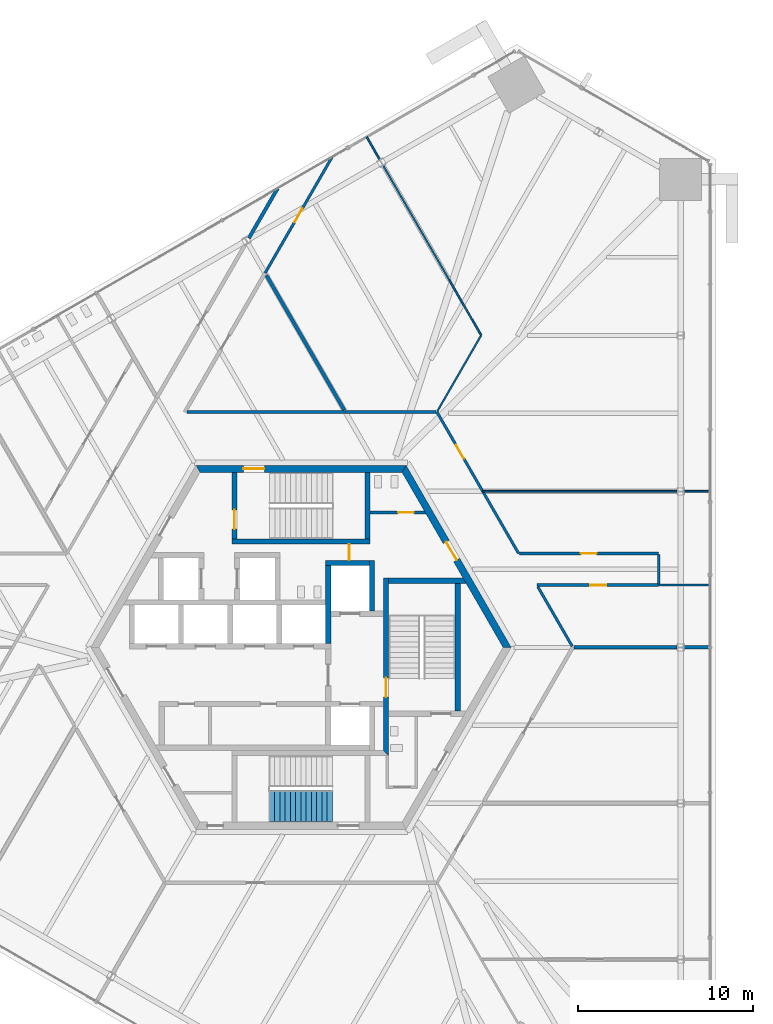
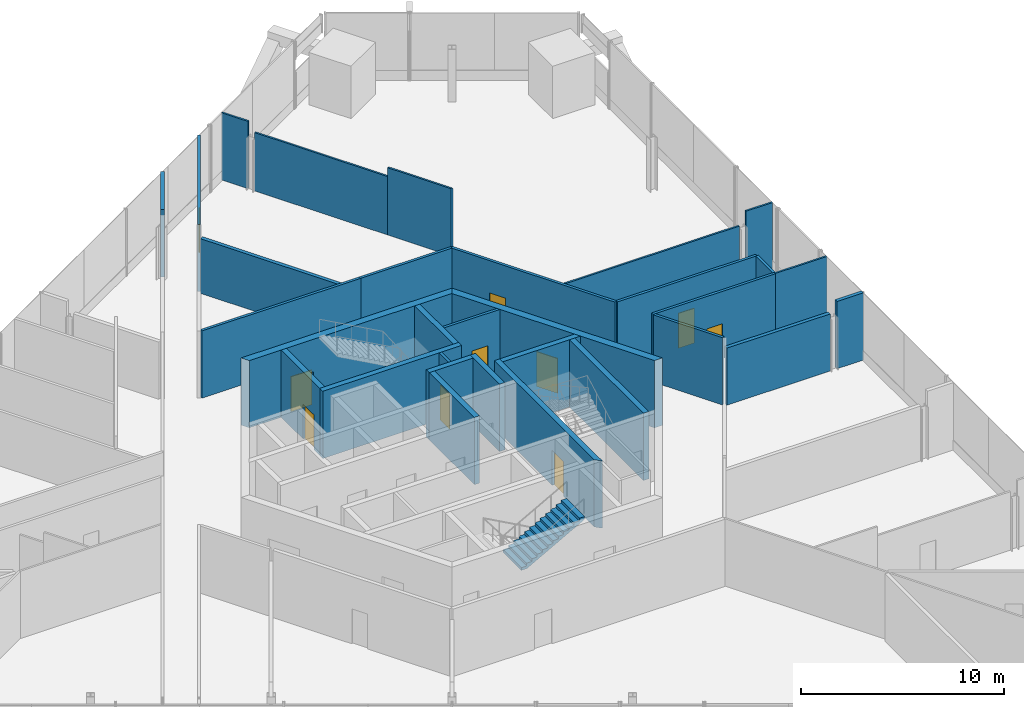
# One storey, part 19 of 22: 32 walls, 10 doors, 1 stair flight, 10 openings, 1 element without a shape of its own.
"""IFC4 building model written with IfcOpenShell, lengths in metres."""

import ifcopenshell
import ifcopenshell.guid

model = None  # the IFC model being written
_history = None  # IfcOwnerHistory: only IFC2X3 demands one
_inside = {}  # id of a spatial element -> (the spatial element, [elements in it])
_under = {}  # id of a project, library or spatial element -> (it, [spatial elements below it])
_declared = {}  # id of a project -> (the project, [libraries it declares])
_typed = {}  # id of a type object -> (the type object, [elements of that type])
_made_of = {}  # id of a material, layer set ... -> (it, [elements and type objects made of it])


def new_model(schema):
    """Start an empty IFC model of exactly this schema.

    Asked for "IFC4X3", IfcOpenShell would pick the latest addendum, in which some entities
    have other attributes; the version numbers below select the first issue.
    IFC2X3 requires an IfcOwnerHistory on every rooted entity: one is made here for all.
    """
    global model, _history
    if schema == "IFC4X3":
        model = ifcopenshell.file(schema_version=(4, 3, 0, 0))
    else:
        model = ifcopenshell.file(schema=schema)
    _inside.clear()
    _under.clear()
    _declared.clear()
    _typed.clear()
    _made_of.clear()
    _history = None
    if model.schema == "IFC2X3":
        org = make("IfcOrganization", Name="unknown")
        user = make(
            "IfcPersonAndOrganization",
            ThePerson=make("IfcPerson", FamilyName="unknown"),
            TheOrganization=org,
        )
        app = make(
            "IfcApplication",
            ApplicationDeveloper=org,
            Version="unknown",
            ApplicationFullName="unknown",
            ApplicationIdentifier="unknown",
        )
        _history = make(
            "IfcOwnerHistory",
            OwningUser=user,
            OwningApplication=app,
            ChangeAction="ADDED",
            CreationDate=0,
        )
    return model


def make(cls, **values):
    """One entity of the class cls with the attributes given. An attribute that is None is left unset."""
    return model.create_entity(
        cls, **{name: value for name, value in values.items() if value is not None}
    )


def rooted(cls, **values):
    """An entity with a GlobalId (a new one), such as an element, a storey or a relation."""
    return make(cls, GlobalId=ifcopenshell.guid.new(), OwnerHistory=_history, **values)


def si_unit(unit_type, name, prefix=None):
    """IfcSIUnit, for example si_unit("LENGTHUNIT", "METRE", prefix="MILLI")."""
    return make("IfcSIUnit", UnitType=unit_type, Prefix=prefix, Name=name)


def assignment(units):
    """IfcUnitAssignment: the units of a project."""
    return None if units is None else make("IfcUnitAssignment", Units=units)


def point(xyz):
    """IfcCartesianPoint."""
    return None if xyz is None else make("IfcCartesianPoint", Coordinates=xyz)


def direction(xyz):
    """IfcDirection."""
    return None if xyz is None else make("IfcDirection", DirectionRatios=xyz)


def frame(location, z_axis=None, x_axis=None):
    """IfcAxis2Placement3D, a coordinate frame: its origin and axes. An axis left out is left unset."""
    return make(
        "IfcAxis2Placement3D",
        Location=point(location),
        Axis=direction(z_axis),
        RefDirection=direction(x_axis),
    )


def frame_2d(location, x_axis=None):
    """IfcAxis2Placement2D, a coordinate frame in the plane: its origin and x axis."""
    return make(
        "IfcAxis2Placement2D", Location=point(location), RefDirection=direction(x_axis)
    )


def origin():
    """The frame at (0, 0, 0) with its axes left unset."""
    return frame((0.0, 0.0, 0.0))


def place(relative_to, where):
    """IfcLocalPlacement: puts the frame where relative to a parent placement (None: the world)."""
    return make(
        "IfcLocalPlacement", PlacementRelTo=relative_to, RelativePlacement=where
    )


def context(
    kind, dimensions, precision=None, world=None, true_north=None, identifier=None
):
    """IfcGeometricRepresentationContext, for example the 3D "Model" context."""
    return make(
        "IfcGeometricRepresentationContext",
        ContextIdentifier=identifier,
        ContextType=kind,
        CoordinateSpaceDimension=dimensions,
        Precision=precision,
        WorldCoordinateSystem=world,
        TrueNorth=true_north,
    )


def subcontext(parent, identifier, kind, view, scale=None):
    """IfcGeometricRepresentationSubContext, for example "Body" below "Model"."""
    return make(
        "IfcGeometricRepresentationSubContext",
        ContextIdentifier=identifier,
        ContextType=kind,
        ParentContext=parent,
        TargetScale=scale,
        TargetView=view,
    )


def project(units=None, contexts=None):
    """IfcProject with its units and contexts."""
    return rooted(
        "IfcProject",
        Name="project",
        RepresentationContexts=contexts,
        UnitsInContext=assignment(units),
    )


def spatial(cls, under=None, at=None, **own):
    """A site, building, storey or space (cls), placed at a placement, below another one or the project."""
    s = rooted(cls, ObjectPlacement=at, **own)
    if under is not None:
        _under.setdefault(under.id(), (under, []))[1].append(s)
    return s


def polyline(points):
    """IfcPolyline through the points."""
    return make("IfcPolyline", Points=[point(p) for p in points])


def profile(cls, at=None, kind="AREA", **sizes):
    """A parametric profile (cls). Its sizes go by their IFC names, for example OverallWidth=200.0."""
    return make(cls, ProfileType=kind, Position=at, **sizes)


def rectangle(**sizes):
    """IfcRectangleProfileDef."""
    return profile("IfcRectangleProfileDef", **sizes)


def outline(outer, holes=None, kind="AREA"):
    """IfcArbitraryClosedProfileDef: a profile drawn as a closed curve; with holes, ...WithVoids."""
    if holes is None:
        return make("IfcArbitraryClosedProfileDef", ProfileType=kind, OuterCurve=outer)
    return make(
        "IfcArbitraryProfileDefWithVoids",
        ProfileType=kind,
        OuterCurve=outer,
        InnerCurves=holes,
    )


def extrude(swept, where, along, depth):
    """IfcExtrudedAreaSolid: the profile swept, set in the frame where, extruded along a direction by depth."""
    return make(
        "IfcExtrudedAreaSolid",
        SweptArea=swept,
        Position=where,
        ExtrudedDirection=direction(along),
        Depth=depth,
    )


def shape(context_of_items, identifier, shape_type, items):
    """IfcShapeRepresentation: the items that make up one representation, for example the "Body"."""
    return make(
        "IfcShapeRepresentation",
        ContextOfItems=context_of_items,
        RepresentationIdentifier=identifier,
        RepresentationType=shape_type,
        Items=items,
    )


def source(mapping_origin, context_of_items, identifier, shape_type, items):
    """IfcRepresentationMap: a shape defined once, which mapped items show again and again."""
    return make(
        "IfcRepresentationMap",
        MappingOrigin=mapping_origin,
        MappedRepresentation=shape(context_of_items, identifier, shape_type, items),
    )


def transform(
    local_origin,
    x_axis=None,
    y_axis=None,
    z_axis=None,
    scale=None,
    scale2=None,
    scale3=None,
    uniform=True,
):
    """IfcCartesianTransformationOperator3D, or its non-uniform kind. x_axis, y_axis, z_axis: its Axis1, 2, 3."""
    if uniform:
        return make(
            "IfcCartesianTransformationOperator3D",
            Axis1=direction(x_axis),
            Axis2=direction(y_axis),
            LocalOrigin=point(local_origin),
            Scale=scale,
            Axis3=direction(z_axis),
        )
    return make(
        "IfcCartesianTransformationOperator3DnonUniform",
        Axis1=direction(x_axis),
        Axis2=direction(y_axis),
        LocalOrigin=point(local_origin),
        Scale=scale,
        Axis3=direction(z_axis),
        Scale2=scale2,
        Scale3=scale3,
    )


def mapped(mapping_source, mapping_target):
    """IfcMappedItem: shows the shape of a source again, moved by a transform."""
    return make(
        "IfcMappedItem", MappingSource=mapping_source, MappingTarget=mapping_target
    )


def material(Name=None, Category=None):
    """IfcMaterial."""
    return make("IfcMaterial", Name=Name, Category=Category)


def layer(
    of_material, thickness, ventilated=None, Name=None, Category=None, Priority=None
):
    """IfcMaterialLayer: one layer of a wall or slab, of a material (None: an air gap)."""
    return make(
        "IfcMaterialLayer",
        Material=of_material,
        LayerThickness=thickness,
        IsVentilated=ventilated,
        Name=Name,
        Category=Category,
        Priority=Priority,
    )


def layer_set(layers, Name=None):
    """IfcMaterialLayerSet."""
    return make("IfcMaterialLayerSet", MaterialLayers=layers, LayerSetName=Name)


def made_of(thing, what):
    """Note that an element or type object is made of a material, layer set ...; save() writes the relation."""
    if what is not None:
        _made_of.setdefault(what.id(), (what, []))[1].append(thing)
    return thing


def type_object(cls, material=None, **own):
    """A type object (cls), such as IfcWallType, which elements share."""
    return made_of(rooted(cls, **own), material)


def element(
    cls,
    number,
    at=None,
    inside=None,
    cuts=None,
    type_object=None,
    material=None,
    context=None,
    identifier="Body",
    shape_type=None,
    held_by="IfcProductDefinitionShape",
    body=None,
    shapes=None,
    **own,
):
    """One element of the class cls, such as IfcWall. Its Tag is "e" and its number.

    at: its placement. inside: the storey or other place that contains it. cuts: it is an
    opening in that element (IfcRelVoidsElement). A single representation is given by context,
    identifier, shape_type and body (its items); several are given by shapes. held_by: the class
    of the entity that holds the representations. save() writes the other relations.
    """
    e = rooted(cls, Tag="e%d" % number, ObjectPlacement=at, **own)
    if body is not None:
        shapes = [shape(context, identifier, shape_type, body)]
    if shapes is not None:
        e.Representation = make(held_by, Representations=shapes)
    if inside is not None:
        _inside.setdefault(inside.id(), (inside, []))[1].append(e)
    if cuts is not None:
        rooted(
            "IfcRelVoidsElement", RelatingBuildingElement=cuts, RelatedOpeningElement=e
        )
    if type_object is not None:
        _typed.setdefault(type_object.id(), (type_object, []))[1].append(e)
    return made_of(e, material)


def fill(opening, filler):
    """IfcRelFillsElement: the door or window that sits in an opening."""
    return rooted(
        "IfcRelFillsElement",
        RelatingOpeningElement=opening,
        RelatedBuildingElement=filler,
    )


def aggregate(whole, parts):
    """IfcRelAggregates: a whole, such as a stair, and the parts it consists of."""
    return rooted("IfcRelAggregates", RelatingObject=whole, RelatedObjects=parts)


def save(model, path):
    """Write the relations noted so far, then the file.

    IfcRelAggregates (storeys below a building ...), IfcRelContainedInSpatialStructure (elements
    in a storey), IfcRelDefinesByType, IfcRelAssociatesMaterial and IfcRelDeclares: one each for
    every whole, place, type object, material and project.
    """
    for whole, parts in _under.values():
        aggregate(whole, parts)
    for where, things in _inside.values():
        rooted(
            "IfcRelContainedInSpatialStructure",
            RelatedElements=things,
            RelatingStructure=where,
        )
    for kind, things in _typed.values():
        rooted("IfcRelDefinesByType", RelatedObjects=things, RelatingType=kind)
    for what, things in _made_of.values():
        rooted("IfcRelAssociatesMaterial", RelatedObjects=things, RelatingMaterial=what)
    for by, libraries in _declared.values():
        rooted("IfcRelDeclares", RelatingContext=by, RelatedDefinitions=libraries)
    model.write(path)


model = new_model("IFC4")

# Units and contexts
model_context = context("Model", 3, precision=1e-05, world=origin(), true_north=direction((0.0, 1.0)))
body_context = subcontext(model_context, "Body", "Model", "MODEL_VIEW")
ifc_project = project(units=[si_unit("LENGTHUNIT", "METRE"), si_unit("AREAUNIT", "SQUARE_METRE"), si_unit("VOLUMEUNIT", "CUBIC_METRE"), si_unit("PLANEANGLEUNIT", "RADIAN"), si_unit("MASSUNIT", "GRAM", prefix="KILO")], contexts=[model_context])

# Site, building, storey
site_placement = place(None, origin())
site = spatial("IfcSite", under=ifc_project, at=site_placement, CompositionType="ELEMENT")
building_placement = place(site_placement, origin())
building = spatial("IfcBuilding", under=site, at=building_placement, Name="Triune Harvest Tower", CompositionType="ELEMENT")
storey_placement = place(building_placement, frame((0.0, 0.0, 50.39990234375)))
storey = spatial("IfcBuildingStorey", under=building, at=storey_placement, Name="L11", CompositionType="ELEMENT", Elevation=50.39990234375)

# Wall, opening, door
ifc_material_1 = material(Name="Concrete masonry unit", Category="masonry")
ifc_layer_1 = layer(ifc_material_1, 0.14990234375)
ifc_layer_set_1 = layer_set([ifc_layer_1], Name="Concrete masonry unit")
wall_type_1 = type_object("IfcWallType", Name="Block partition 150 unrated", PredefinedType="PARTITIONING", material=ifc_layer_set_1)
wall_1_placement = place(storey_placement, frame((3.949951171875, 7.699951171875, 0.0), z_axis=(0.0, 0.0, 1.0), x_axis=(1.0, 0.0, 0.0)))
wall_1 = element("IfcWall", 1, at=wall_1_placement, inside=storey, type_object=wall_type_1, Name="Wc women south wall", PredefinedType="PARTITIONING", context=body_context, shape_type="SweptSolid", body=[
    extrude(outline(polyline([(0.0, -0.074951171875), (0.0, 0.074951171875), (3.1015625, 0.074951171875), (3.18798828125, -0.074951171875), (0.0, -0.074951171875)])), origin(), (0.0, 0.0, 1.0), 4.050048828125),
])
opening_1_placement = place(wall_1_placement, frame((1.60009765625, 0.0, 0.0)))
opening_1 = element("IfcOpeningElement", 2, at=opening_1_placement, cuts=wall_1, Name="Opening CD-WW", PredefinedType="OPENING", context=body_context, shape_type="SweptSolid", body=[
    extrude(rectangle(XDim=0.89990234375, YDim=2.10009765625, at=frame_2d((0.449951171875, 1.050048828125))), frame((0.0, 0.0849609375, 0.0), z_axis=(0.0, -1.0, 0.0), x_axis=(1.0, 0.0, 0.0)), (0.0, 0.0, 1.0), 0.169921875),
])
ifc_material_2 = material(Name="Timber C24", Category="wood")
door_type_1 = type_object("IfcDoorType", Name="WC door 900", OperationType="SINGLE_SWING_LEFT", PredefinedType="DOOR", material=ifc_material_2)
door_1_placement = place(opening_1_placement, origin())
door_1 = element("IfcDoor", 3, at=door_1_placement, inside=storey, type_object=door_type_1, Name="Door CD-WW", OperationType="SINGLE_SWING_LEFT", OverallHeight=2.10009765625, OverallWidth=0.89990234375, PredefinedType="DOOR", context=body_context, shape_type="SweptSolid", body=[
    extrude(rectangle(XDim=0.89990234375, YDim=2.10009765625, at=frame_2d((0.449951171875, 1.050048828125))), frame((0.0, 0.02490234375, 0.0), z_axis=(0.0, -1.0, 0.0), x_axis=(1.0, 0.0, 0.0)), (0.0, 0.0, 1.0), 0.050048828125),
])
fill(opening_1, door_1)

wall_2_placement = place(storey_placement, frame((2.75, 4.9599609375, 0.0), z_axis=(0.0, 0.0, 1.0), x_axis=(0.0, 1.0, 0.0)))
wall_2 = element("IfcWall", 4, at=wall_2_placement, inside=storey, type_object=wall_type_1, Name="Wc men east b wall", PredefinedType="PARTITIONING", context=body_context, shape_type="SweptSolid", body=[
    extrude(rectangle(XDim=0.929931640625, YDim=0.14990234375, at=frame_2d((0.46484375, 0.0))), origin(), (0.0, 0.0, 1.0), 4.050048828125),
])
opening_2_placement = place(wall_2_placement, frame((0.014892578125, 0.0, 0.0)))
opening_2 = element("IfcOpeningElement", 5, at=opening_2_placement, cuts=wall_2, Name="Opening CD-WM", PredefinedType="OPENING", context=body_context, shape_type="SweptSolid", body=[
    extrude(rectangle(XDim=0.89990234375, YDim=2.10009765625, at=frame_2d((0.449951171875, 1.050048828125))), frame((0.0, 0.0849609375, 0.0), z_axis=(0.0, -1.0, 0.0), x_axis=(1.0, 0.0, 0.0)), (0.0, 0.0, 1.0), 0.169921875),
])
door_2_placement = place(opening_2_placement, origin())
door_2 = element("IfcDoor", 6, at=door_2_placement, inside=storey, type_object=door_type_1, Name="Door CD-WM", OperationType="SINGLE_SWING_LEFT", OverallHeight=2.10009765625, OverallWidth=0.89990234375, PredefinedType="DOOR", context=body_context, shape_type="SweptSolid", body=[
    extrude(rectangle(XDim=0.89990234375, YDim=2.10009765625, at=frame_2d((0.449951171875, 1.050048828125))), frame((0.0, 0.02490234375, 0.0), z_axis=(0.0, -1.0, 0.0), x_axis=(1.0, 0.0, 0.0)), (0.0, 0.0, 1.0), 0.050048828125),
])
fill(opening_2, door_2)

# Walls
ifc_material_3 = material(Name="Concrete 70 MPa", Category="concrete")
ifc_layer_2 = layer(ifc_material_3, 0.300048828125)
ifc_layer_set_2 = layer_set([ifc_layer_2], Name="Concrete 70 MPa")
wall_type_2 = type_object("IfcWallType", Name="Core wall 300", PredefinedType="SHEAR", material=ifc_layer_set_2)
wall_3_placement = place(storey_placement, frame((1.550048828125, 0.2099609375, 0.0), z_axis=(0.0, 0.0, 1.0), x_axis=(0.0, 1.0, 0.0)))
element("IfcWall", 7, at=wall_3_placement, inside=storey, type_object=wall_type_2, Name="Ff1 west wall", PredefinedType="SHEAR", context=body_context, shape_type="SweptSolid", body=[
    extrude(rectangle(XDim=4.449951171875, YDim=0.300048828125, at=frame_2d((2.22509765625, 0.0))), origin(), (0.0, 0.0, 1.0), 4.050048828125),
])
wall_4_placement = place(storey_placement, frame((4.050048828125, 2.06005859375, 0.0), z_axis=(0.0, 0.0, 1.0), x_axis=(0.0, 1.0, 0.0)))
element("IfcWall", 8, at=wall_4_placement, inside=storey, type_object=wall_type_2, Name="Ff1 east wall", PredefinedType="SHEAR", context=body_context, shape_type="SweptSolid", body=[
    extrude(rectangle(XDim=2.89990234375, YDim=0.300048828125, at=frame_2d((1.449951171875, 0.0))), origin(), (0.0, 0.0, 1.0), 4.050048828125),
])

# Wall, opening, door
wall_5_placement = place(storey_placement, frame((4.85009765625, -6.0400390625, 0.0), z_axis=(0.0, 0.0, 1.0), x_axis=(0.0, 1.0, 0.0)))
wall_5 = element("IfcWall", 9, at=wall_5_placement, inside=storey, type_object=wall_type_2, Name="Stair e west wall", PredefinedType="SHEAR", context=body_context, shape_type="SweptSolid", body=[
    extrude(outline(polyline([(-0.14990234375, -0.14990234375), (9.989990234375, -0.14990234375), (9.989990234375, 0.14990234375), (0.14990234375, 0.14990234375), (-0.14990234375, -0.14990234375)])), origin(), (0.0, 0.0, 1.0), 4.050048828125),
])
opening_3_placement = place(wall_5_placement, frame((3.18994140625, 0.0, 0.0)))
opening_3 = element("IfcOpeningElement", 10, at=opening_3_placement, cuts=wall_5, Name="Opening CD-S3L", PredefinedType="OPENING", context=body_context, shape_type="SweptSolid", body=[
    extrude(rectangle(XDim=1.10009765625, YDim=2.10009765625, at=frame_2d((0.550048828125, 1.050048828125))), frame((0.0, 0.16015625, 0.0), z_axis=(0.0, -1.0, 0.0), x_axis=(1.0, 0.0, 0.0)), (0.0, 0.0, 1.0), 0.320068359375),
])
ifc_material_4 = material(Name="Steel S235", Category="steel")
door_type_2 = type_object("IfcDoorType", Name="Stair door 1100 FD120", OperationType="SINGLE_SWING_LEFT", PredefinedType="DOOR", material=ifc_material_4)
door_3_placement = place(opening_3_placement, frame((1.10009765625, 0.0, 0.0), z_axis=(0.0, 0.0, 1.0), x_axis=(-1.0, 0.0, 0.0)))
door_3 = element("IfcDoor", 11, at=door_3_placement, inside=storey, type_object=door_type_2, Name="Door CD-S3L", OperationType="SINGLE_SWING_RIGHT", OverallHeight=2.10009765625, OverallWidth=1.10009765625, PredefinedType="DOOR", context=body_context, shape_type="SweptSolid", body=[
    extrude(rectangle(XDim=1.10009765625, YDim=2.10009765625, at=frame_2d((0.550048828125, 1.050048828125))), frame((0.0, 0.02490234375, 0.0), z_axis=(0.0, -1.0, 0.0), x_axis=(1.0, 0.0, 0.0)), (0.0, 0.0, 1.0), 0.050048828125),
])
fill(opening_3, door_3)

# Walls
wall_6_placement = place(storey_placement, frame((5.0, 3.800048828125, 0.0), z_axis=(0.0, 0.0, 1.0), x_axis=(1.0, 0.0, 0.0)))
element("IfcWall", 12, at=wall_6_placement, inside=storey, type_object=wall_type_2, Name="Stair e north wall", PredefinedType="SHEAR", context=body_context, shape_type="SweptSolid", body=[
    extrude(outline(polyline([(0.0, -0.14990234375), (0.0, 0.14990234375), (4.260009765625, 0.14990234375), (4.43310546875, -0.14990234375), (0.0, -0.14990234375)])), origin(), (0.0, 0.0, 1.0), 4.050048828125),
])
wall_7_placement = place(storey_placement, frame((8.949951171875, -3.64990234375, 0.0), z_axis=(0.0, 0.0, 1.0), x_axis=(0.0, 1.0, 0.0)))
element("IfcWall", 13, at=wall_7_placement, inside=storey, type_object=wall_type_2, Name="Stair e east wall", PredefinedType="SHEAR", context=body_context, shape_type="SweptSolid", body=[
    extrude(rectangle(XDim=7.2998046875, YDim=0.300048828125, at=frame_2d((3.64990234375, 0.0))), origin(), (0.0, 0.0, 1.0), 4.050048828125),
])
wall_8_placement = place(storey_placement, frame((-3.949951171875, 6.0400390625, 0.0), z_axis=(0.0, 0.0, 1.0), x_axis=(1.0, 0.0, 0.0)))
element("IfcWall", 14, at=wall_8_placement, inside=storey, type_object=wall_type_2, Name="Stair n south wall", PredefinedType="SHEAR", context=body_context, shape_type="SweptSolid", body=[
    extrude(rectangle(XDim=7.89990234375, YDim=0.300048828125, at=frame_2d((3.949951171875, 0.0))), origin(), (0.0, 0.0, 1.0), 4.050048828125),
])

# Wall, opening, door
ifc_material_5 = material(Name="Gypsum board on steel studs", Category="steel")
ifc_layer_3 = layer(ifc_material_5, 0.14990234375)
ifc_layer_set_3 = layer_set([ifc_layer_3], Name="Gypsum board on steel studs")
wall_type_3 = type_object("IfcWallType", Name="Fire Partition 150 mm", PredefinedType="PARTITIONING", material=ifc_layer_set_3)
wall_9_placement = place(storey_placement, frame((7.760986328125, 13.442138671875, 0.0), z_axis=(0.0, 0.0, 1.0), x_axis=(0.500005339912, -0.866022320763, 0.0)))
wall_9 = element("IfcWall", 15, at=wall_9_placement, inside=storey, type_object=wall_type_3, Name="Partition L11 015", PredefinedType="PARTITIONING", context=body_context, shape_type="SweptSolid", body=[
    extrude(rectangle(XDim=9.33837890625, YDim=0.14990234375, at=frame_2d((4.669189453125, 0.0))), origin(), (0.0, 0.0, 1.0), 4.050048828125),
])
opening_4_placement = place(wall_9_placement, frame((2.183349609375, 0.0, 0.0)))
opening_4 = element("IfcOpeningElement", 16, at=opening_4_placement, cuts=wall_9, Name="Opening L11-006", PredefinedType="OPENING", context=body_context, shape_type="SweptSolid", body=[
    extrude(rectangle(XDim=0.89990234375, YDim=2.10009765625, at=frame_2d((0.449951171875, 1.050048828125))), frame((0.0, 0.0849609375, 0.0), z_axis=(0.0, -1.0, 0.0), x_axis=(1.0, 0.0, 0.0)), (0.0, 0.0, 1.0), 0.169921875),
])
ifc_material_6 = material(Name="Timber and steel door set", Category="steel")
door_type_3 = type_object("IfcDoorType", Name="Single leaf door FD30 left hand 900 x 2100", OperationType="SINGLE_SWING_LEFT", PredefinedType="DOOR", material=ifc_material_6)
door_4_placement = place(opening_4_placement, origin())
door_4 = element("IfcDoor", 17, at=door_4_placement, inside=storey, type_object=door_type_3, Name="Door L11-006 Staff Room 11.06", OperationType="SINGLE_SWING_LEFT", OverallHeight=2.10009765625, OverallWidth=0.89990234375, PredefinedType="DOOR", context=body_context, shape_type="SweptSolid", body=[
    extrude(rectangle(XDim=0.89990234375, YDim=2.10009765625, at=frame_2d((0.449951171875, 1.050048828125))), frame((0.0, 0.02490234375, 0.0), z_axis=(0.0, -1.0, 0.0), x_axis=(1.0, 0.0, 0.0)), (0.0, 0.0, 1.0), 0.050048828125),
])
fill(opening_4, door_4)

# Wall
wall_10_placement = place(storey_placement, frame((13.5244140625, 3.459716796875, 0.0), z_axis=(0.0, 0.0, 1.0), x_axis=(0.500006044118, -0.866021914183, 0.0)))
element("IfcWall", 18, at=wall_10_placement, inside=storey, type_object=wall_type_3, Name="Partition L11 016", PredefinedType="PARTITIONING", context=body_context, shape_type="SweptSolid", body=[
    extrude(rectangle(XDim=3.9248046875, YDim=0.14990234375, at=frame_2d((1.96240234375, 0.0))), origin(), (0.0, 0.0, 1.0), 4.050048828125),
])

# Wall, opening, door
wall_11_placement = place(storey_placement, frame((13.469482421875, 3.554931640625, 0.0), z_axis=(0.0, 0.0, 1.0), x_axis=(1.0, 0.0, 0.0)))
wall_11 = element("IfcWall", 19, at=wall_11_placement, inside=storey, type_object=wall_type_3, Name="Partition L11 034", PredefinedType="PARTITIONING", context=body_context, shape_type="SweptSolid", body=[
    extrude(rectangle(XDim=6.9599609375, YDim=0.14990234375, at=frame_2d((3.47998046875, 0.0))), origin(), (0.0, 0.0, 1.0), 4.050048828125),
])
opening_5_placement = place(wall_11_placement, frame((3.050048828125, 0.0, 0.0)))
opening_5 = element("IfcOpeningElement", 20, at=opening_5_placement, cuts=wall_11, Name="Opening L11-005", PredefinedType="OPENING", context=body_context, shape_type="SweptSolid", body=[
    extrude(rectangle(XDim=0.89990234375, YDim=2.10009765625, at=frame_2d((0.449951171875, 1.050048828125))), frame((0.0, 0.0849609375, 0.0), z_axis=(0.0, -1.0, 0.0), x_axis=(1.0, 0.0, 0.0)), (0.0, 0.0, 1.0), 0.169921875),
])
door_5_placement = place(opening_5_placement, origin())
door_5 = element("IfcDoor", 21, at=door_5_placement, inside=storey, type_object=door_type_3, Name="Door L11-005 Dry Store Room 11.05", OperationType="SINGLE_SWING_LEFT", OverallHeight=2.10009765625, OverallWidth=0.89990234375, PredefinedType="DOOR", context=body_context, shape_type="SweptSolid", body=[
    extrude(rectangle(XDim=0.89990234375, YDim=2.10009765625, at=frame_2d((0.449951171875, 1.050048828125))), frame((0.0, 0.02490234375, 0.0), z_axis=(0.0, -1.0, 0.0), x_axis=(1.0, 0.0, 0.0)), (0.0, 0.0, 1.0), 0.050048828125),
])
fill(opening_5, door_5)

wall_12_placement = place(storey_placement, frame((12.47998046875, 5.35498046875, 0.0), z_axis=(0.0, 0.0, 1.0), x_axis=(1.0, 0.0, 0.0)))
wall_12 = element("IfcWall", 22, at=wall_12_placement, inside=storey, type_object=wall_type_3, Name="Partition L11 037", PredefinedType="PARTITIONING", context=body_context, shape_type="SweptSolid", body=[
    extrude(rectangle(XDim=7.949462890625, YDim=0.14990234375, at=frame_2d((3.974609375, 0.0))), origin(), (0.0, 0.0, 1.0), 4.050048828125),
])
opening_6_placement = place(wall_12_placement, frame((3.50048828125, 0.0, 0.0)))
opening_6 = element("IfcOpeningElement", 23, at=opening_6_placement, cuts=wall_12, Name="Opening L11-004", PredefinedType="OPENING", context=body_context, shape_type="SweptSolid", body=[
    extrude(rectangle(XDim=0.89990234375, YDim=2.10009765625, at=frame_2d((0.449951171875, 1.050048828125))), frame((0.0, 0.0849609375, 0.0), z_axis=(0.0, -1.0, 0.0), x_axis=(1.0, 0.0, 0.0)), (0.0, 0.0, 1.0), 0.169921875),
])
ifc_material_7 = material(Name="Timber and steel door set", Category="steel")
door_type_4 = type_object("IfcDoorType", Name="Single leaf door FD30 right hand 900 x 2100", OperationType="SINGLE_SWING_RIGHT", PredefinedType="DOOR", material=ifc_material_7)
door_6_placement = place(opening_6_placement, origin())
door_6 = element("IfcDoor", 24, at=door_6_placement, inside=storey, type_object=door_type_4, Name="Door L11-004 Packing Room 11.04", OperationType="SINGLE_SWING_RIGHT", OverallHeight=2.10009765625, OverallWidth=0.89990234375, PredefinedType="DOOR", context=body_context, shape_type="SweptSolid", body=[
    extrude(rectangle(XDim=0.89990234375, YDim=2.10009765625, at=frame_2d((0.449951171875, 1.050048828125))), frame((0.0, 0.02490234375, 0.0), z_axis=(0.0, -1.0, 0.0), x_axis=(1.0, 0.0, 0.0)), (0.0, 0.0, 1.0), 0.050048828125),
])
fill(opening_6, door_6)

# Walls
wall_13_placement = place(storey_placement, frame((-6.50244140625, 13.4423828125, 0.0), z_axis=(0.0, 0.0, 1.0), x_axis=(1.0, 0.0, 0.0)))
element("IfcWall", 25, at=wall_13_placement, inside=storey, type_object=wall_type_3, Name="Partition L11 040", PredefinedType="PARTITIONING", context=body_context, shape_type="SweptSolid", body=[
    extrude(rectangle(XDim=9.033447265625, YDim=0.14990234375, at=frame_2d((4.5166015625, 0.0))), origin(), (0.0, 0.0, 1.0), 4.050048828125),
])
wall_14_placement = place(storey_placement, frame((2.531005859375, 13.4423828125, 0.0), z_axis=(0.0, 0.0, 1.0), x_axis=(1.0, 0.0, 0.0)))
element("IfcWall", 26, at=wall_14_placement, inside=storey, type_object=wall_type_3, Name="Partition L11 041", PredefinedType="PARTITIONING", context=body_context, shape_type="SweptSolid", body=[
    extrude(rectangle(XDim=5.179931640625, YDim=0.14990234375, at=frame_2d((2.58984375, 0.0))), origin(), (0.0, 0.0, 1.0), 4.050048828125),
])

# Wall, opening, door
wall_15_placement = place(storey_placement, frame((-2.05078125, 21.3779296875, 0.0), z_axis=(0.0, 0.0, 1.0), x_axis=(0.500013814221, 0.866017427994, 0.0)))
wall_15 = element("IfcWall", 27, at=wall_15_placement, inside=storey, type_object=wall_type_3, Name="Partition L11 054", PredefinedType="PARTITIONING", context=body_context, shape_type="SweptSolid", body=[
    extrude(rectangle(XDim=7.664306640625, YDim=0.14990234375, at=frame_2d((3.83203125, 0.0))), origin(), (0.0, 0.0, 1.0), 4.050048828125),
])
opening_7_placement = place(wall_15_placement, frame((3.346435546875, 0.0, 0.0)))
opening_7 = element("IfcOpeningElement", 28, at=opening_7_placement, cuts=wall_15, Name="Opening L11-007", PredefinedType="OPENING", context=body_context, shape_type="SweptSolid", body=[
    extrude(rectangle(XDim=0.89990234375, YDim=2.10009765625, at=frame_2d((0.449951171875, 1.050048828125))), frame((0.0, 0.0849609375, 0.0), z_axis=(0.0, -1.0, 0.0), x_axis=(1.0, 0.0, 0.0)), (0.0, 0.0, 1.0), 0.169921875),
])
door_7_placement = place(opening_7_placement, origin())
door_7 = element("IfcDoor", 29, at=door_7_placement, inside=storey, type_object=door_type_4, Name="Door L11-007 Staff Room 11.07", OperationType="SINGLE_SWING_RIGHT", OverallHeight=2.10009765625, OverallWidth=0.89990234375, PredefinedType="DOOR", context=body_context, shape_type="SweptSolid", body=[
    extrude(rectangle(XDim=0.89990234375, YDim=2.10009765625, at=frame_2d((0.449951171875, 1.050048828125))), frame((0.0, 0.02490234375, 0.0), z_axis=(0.0, -1.0, 0.0), x_axis=(1.0, 0.0, 0.0)), (0.0, 0.0, 1.0), 0.050048828125),
])
fill(opening_7, door_7)

# Walls
wall_16_placement = place(storey_placement, frame((20.429443359375, 3.614990234375, 0.0), z_axis=(0.0, 0.0, 1.0), x_axis=(0.0, 1.0, 0.0)))
element("IfcWall", 30, at=wall_16_placement, inside=storey, type_object=wall_type_3, Name="Partition L11 060", PredefinedType="PARTITIONING", context=body_context, shape_type="SweptSolid", body=[
    extrude(rectangle(XDim=1.679931640625, YDim=0.14990234375, at=frame_2d((0.83984375, 0.0))), origin(), (0.0, 0.0, 1.0), 4.050048828125),
])
ifc_material_8 = material(Name="Gypsum board on steel studs", Category="steel")
ifc_layer_4 = layer(ifc_material_8, 0.199951171875)
ifc_layer_set_4 = layer_set([ifc_layer_4], Name="Gypsum board on steel studs")
wall_type_4 = type_object("IfcWallType", Name="Fire Wall 200 mm", PredefinedType="PARTITIONING", material=ifc_layer_set_4)
wall_17_placement = place(storey_placement, frame((-1.9775390625, 21.2451171875, 0.0), z_axis=(0.0, 0.0, 1.0), x_axis=(0.499984742941, -0.866034212273, 0.0)))
element("IfcWall", 31, at=wall_17_placement, inside=storey, type_object=wall_type_4, Name="Partition L11 014", PredefinedType="PARTITIONING", context=body_context, shape_type="SweptSolid", body=[
    extrude(rectangle(XDim=8.889892578125, YDim=0.199951171875, at=frame_2d((4.44482421875, 0.0))), origin(), (0.0, 0.0, 1.0), 3.293212890625),
])
wall_18_placement = place(storey_placement, frame((15.591796875, 0.0, 0.0), z_axis=(0.0, 0.0, 1.0), x_axis=(1.0, 0.0, 0.0)))
element("IfcWall", 32, at=wall_18_placement, inside=storey, type_object=wall_type_4, Name="Partition L11 030", PredefinedType="PARTITIONING", context=body_context, shape_type="SweptSolid", body=[
    extrude(rectangle(XDim=5.89453125, YDim=0.199951171875, at=frame_2d((2.947265625, 0.0))), origin(), (0.0, 0.0, 1.0), 3.43798828125),
])
wall_19_placement = place(storey_placement, frame((-2.98095703125, 23.36669921875, 0.0), z_axis=(0.0, 0.0, 1.0), x_axis=(0.5000265556, 0.866010071359, 0.0)))
element("IfcWall", 33, at=wall_19_placement, inside=storey, type_object=wall_type_4, Name="Partition L11 058", PredefinedType="PARTITIONING", context=body_context, shape_type="SweptSolid", body=[
    extrude(rectangle(XDim=3.289306640625, YDim=0.199951171875, at=frame_2d((1.64453125, 0.0))), origin(), (0.0, 0.0, 1.0), 4.050048828125),
])
ifc_material_9 = material(Name="Gypsum board on steel studs", Category="steel")
ifc_layer_5 = layer(ifc_material_9, 0.10009765625)
ifc_layer_set_5 = layer_set([ifc_layer_5], Name="Gypsum board on steel studs")
wall_type_5 = type_object("IfcWallType", Name="Partition 100 mm", PredefinedType="PARTITIONING", material=ifc_layer_set_5)
wall_20_placement = place(storey_placement, frame((8.4736328125, 20.963134765625, 0.0), z_axis=(0.0, 0.0, 1.0), x_axis=(0.500009718699, -0.866019792618, 0.0)))
element("IfcWall", 34, at=wall_20_placement, inside=storey, type_object=wall_type_5, Name="Partition L11 018a", PredefinedType="PARTITIONING", context=body_context, shape_type="SweptSolid", body=[
    extrude(rectangle(XDim=3.62939453125, YDim=0.10009765625, at=frame_2d((1.814697265625, 0.0))), origin(), (0.0, 0.0, 1.0), 4.050048828125),
])
wall_21_placement = place(storey_placement, frame((20.429443359375, 3.554931640625, 0.0), z_axis=(0.0, 0.0, 1.0), x_axis=(1.0, 0.0, 0.0)))
element("IfcWall", 35, at=wall_21_placement, inside=storey, type_object=wall_type_5, Name="Partition L11 035", PredefinedType="PARTITIONING", context=body_context, shape_type="SweptSolid", body=[
    extrude(rectangle(XDim=2.94189453125, YDim=0.10009765625, at=frame_2d((1.470947265625, 0.0))), origin(), (0.0, 0.0, 1.0), 4.050048828125),
])
wall_22_placement = place(storey_placement, frame((10.377685546875, 8.909912109375, 0.0), z_axis=(0.0, 0.0, 1.0), x_axis=(1.0, 0.0, 0.0)))
element("IfcWall", 36, at=wall_22_placement, inside=storey, type_object=wall_type_5, Name="Partition L11 038", PredefinedType="PARTITIONING", context=body_context, shape_type="SweptSolid", body=[
    extrude(rectangle(XDim=11.108642578125, YDim=0.10009765625, at=frame_2d((5.55419921875, 0.0))), origin(), (0.0, 0.0, 1.0), 3.293212890625),
])
wall_23_placement = place(storey_placement, frame((7.78076171875, 13.476806640625, 0.0), z_axis=(0.0, 0.0, 1.0), x_axis=(0.499997455298, 0.866026872964, 0.0)))
element("IfcWall", 37, at=wall_23_placement, inside=storey, type_object=wall_type_5, Name="Partition L11 049", PredefinedType="PARTITIONING", context=body_context, shape_type="SweptSolid", body=[
    extrude(rectangle(XDim=4.9951171875, YDim=0.10009765625, at=frame_2d((2.49755859375, 0.0))), origin(), (0.0, 0.0, 1.0), 4.050048828125),
])

# Wall, opening, door
ifc_material_10 = material(Name="Concrete 70 MPa", Category="concrete")
ifc_layer_6 = layer(ifc_material_10, 0.39990234375)
ifc_layer_set_6 = layer_set([ifc_layer_6], Name="Concrete 70 MPa")
wall_type_6 = type_object("IfcWallType", Name="Core wall 400", PredefinedType="SHEAR", material=ifc_layer_set_6)
shared_shape_1 = source(origin(), body_context, "Body", "SweptSolid", [
    extrude(outline(polyline([(-0.115478515625, -0.199951171875), (11.884521484375, -0.199951171875), (11.653564453125, 0.199951171875), (0.115478515625, 0.199951171875), (-0.115478515625, -0.199951171875)])), origin(), (0.0, 0.0, 1.0), 4.050048828125),
])
wall_24_placement = place(storey_placement, frame((11.76904296875, 0.0, 0.0), z_axis=(0.0, 0.0, 1.0), x_axis=(-0.499996592174, 0.866027371285, 0.0)))
wall_24 = element("IfcWall", 38, at=wall_24_placement, inside=storey, type_object=wall_type_6, Name="Hexagon 0 wall", PredefinedType="SHEAR", context=body_context, shape_type="MappedRepresentation", body=[
    mapped(shared_shape_1, transform((0.0, 0.0, 0.0), scale=1.0)),
])
opening_8_placement = place(wall_24_placement, frame((5.75048828125, 0.0, 0.0)))
opening_8 = element("IfcOpeningElement", 39, at=opening_8_placement, cuts=wall_24, Name="Opening CD-WCP", PredefinedType="OPENING", context=body_context, shape_type="SweptSolid", body=[
    extrude(rectangle(XDim=1.199951171875, YDim=2.10009765625, at=frame_2d((0.60009765625, 1.050048828125))), frame((0.0, 0.2099609375, 0.0), z_axis=(0.0, -1.0, 0.0), x_axis=(1.0, 0.0, 0.0)), (0.0, 0.0, 1.0), 0.419921875),
])
ifc_material_11 = material(Name="Steel S235", Category="steel")
door_type_5 = type_object("IfcDoorType", Name="Lobby door 1200 FD120", OperationType="SINGLE_SWING_LEFT", PredefinedType="DOOR", material=ifc_material_11)
door_8_placement = place(opening_8_placement, frame((1.199951171875, 0.0, 0.0), z_axis=(0.0, 0.0, 1.0), x_axis=(-1.0, 0.0, 0.0)))
door_8 = element("IfcDoor", 40, at=door_8_placement, inside=storey, type_object=door_type_5, Name="Door CD-WCP", OperationType="SINGLE_SWING_RIGHT", OverallHeight=2.10009765625, OverallWidth=1.199951171875, PredefinedType="DOOR", context=body_context, shape_type="SweptSolid", body=[
    extrude(rectangle(XDim=1.199951171875, YDim=2.10009765625, at=frame_2d((0.60009765625, 1.050048828125))), frame((0.0, 0.02490234375, 0.0), z_axis=(0.0, -1.0, 0.0), x_axis=(1.0, 0.0, 0.0)), (0.0, 0.0, 1.0), 0.050048828125),
])
fill(opening_8, door_8)

wall_25_placement = place(storey_placement, frame((5.884521484375, 10.1923828125, 0.0), z_axis=(0.0, 0.0, 1.0), x_axis=(-1.0, 0.0, 0.0)))
wall_25 = element("IfcWall", 41, at=wall_25_placement, inside=storey, type_object=wall_type_6, Name="Hexagon 1 wall", PredefinedType="SHEAR", context=body_context, shape_type="MappedRepresentation", body=[
    mapped(shared_shape_1, transform((0.0, 0.0, 0.0), scale=1.0)),
])
opening_9_placement = place(wall_25_placement, frame((7.984619140625, 0.0, 0.0)))
opening_9 = element("IfcOpeningElement", 42, at=opening_9_placement, cuts=wall_25, Name="Opening CD-S1P", PredefinedType="OPENING", context=body_context, shape_type="SweptSolid", body=[
    extrude(rectangle(XDim=1.199951171875, YDim=2.10009765625, at=frame_2d((0.60009765625, 1.050048828125))), frame((0.0, 0.2099609375, 0.0), z_axis=(0.0, -1.0, 0.0), x_axis=(1.0, 0.0, 0.0)), (0.0, 0.0, 1.0), 0.419921875),
])
ifc_material_12 = material(Name="Steel S235", Category="steel")
door_type_6 = type_object("IfcDoorType", Name="Stair door 1200 FD120", OperationType="SINGLE_SWING_LEFT", PredefinedType="DOOR", material=ifc_material_12)
door_9_placement = place(opening_9_placement, frame((1.199951171875, 0.0, 0.0), z_axis=(0.0, 0.0, 1.0), x_axis=(-1.0, 0.0, 0.0)))
door_9 = element("IfcDoor", 43, at=door_9_placement, inside=storey, type_object=door_type_6, Name="Door CD-S1P", OperationType="SINGLE_SWING_RIGHT", OverallHeight=2.10009765625, OverallWidth=1.199951171875, PredefinedType="DOOR", context=body_context, shape_type="SweptSolid", body=[
    extrude(rectangle(XDim=1.199951171875, YDim=2.10009765625, at=frame_2d((0.60009765625, 1.050048828125))), frame((0.0, 0.02490234375, 0.0), z_axis=(0.0, -1.0, 0.0), x_axis=(1.0, 0.0, 0.0)), (0.0, 0.0, 1.0), 0.050048828125),
])
fill(opening_9, door_9)

# Wall
shared_shape_2 = source(origin(), body_context, "Body", "SweptSolid", [
    extrude(rectangle(XDim=2.5, YDim=0.300048828125, at=frame_2d((1.25, 0.0))), origin(), (0.0, 0.0, 1.0), 4.050048828125),
])
wall_26_placement = place(storey_placement, frame((1.39990234375, 4.81005859375, 0.0), z_axis=(0.0, 0.0, 1.0), x_axis=(1.0, 0.0, 0.0)))
element("IfcWall", 44, at=wall_26_placement, inside=storey, type_object=wall_type_2, Name="Ff1 back wall", PredefinedType="SHEAR", context=body_context, shape_type="MappedRepresentation", body=[
    mapped(shared_shape_2, transform((0.0, 0.0, 0.0), scale=1.0)),
])

# Wall, opening, door
shared_shape_3 = source(origin(), body_context, "Body", "SweptSolid", [
    extrude(outline(polyline([(0.0, -0.14990234375), (0.0, 0.14990234375), (3.80419921875, 0.14990234375), (3.80419921875, -0.14990234375), (0.0, -0.14990234375)])), origin(), (0.0, 0.0, 1.0), 4.050048828125),
])
wall_27_placement = place(storey_placement, frame((-3.800048828125, 6.18994140625, 0.0), z_axis=(0.0, 0.0, 1.0), x_axis=(0.0, 1.0, 0.0)))
wall_27 = element("IfcWall", 45, at=wall_27_placement, inside=storey, type_object=wall_type_2, Name="Stair n west wall", PredefinedType="SHEAR", context=body_context, shape_type="MappedRepresentation", body=[
    mapped(shared_shape_3, transform((0.0, 0.0, 0.0), scale=1.0)),
])
opening_10_placement = place(wall_27_placement, frame((0.56005859375, 0.0, 0.0)))
opening_10 = element("IfcOpeningElement", 46, at=opening_10_placement, cuts=wall_27, Name="Opening CD-S1L", PredefinedType="OPENING", context=body_context, shape_type="SweptSolid", body=[
    extrude(rectangle(XDim=1.10009765625, YDim=2.10009765625, at=frame_2d((0.550048828125, 1.050048828125))), frame((0.0, 0.16015625, 0.0), z_axis=(0.0, -1.0, 0.0), x_axis=(1.0, 0.0, 0.0)), (0.0, 0.0, 1.0), 0.320068359375),
])
door_10_placement = place(opening_10_placement, frame((1.10009765625, 0.0, 0.0), z_axis=(0.0, 0.0, 1.0), x_axis=(-1.0, 0.0, 0.0)))
door_10 = element("IfcDoor", 47, at=door_10_placement, inside=storey, type_object=door_type_2, Name="Door CD-S1L", OperationType="SINGLE_SWING_RIGHT", OverallHeight=2.10009765625, OverallWidth=1.10009765625, PredefinedType="DOOR", context=body_context, shape_type="SweptSolid", body=[
    extrude(rectangle(XDim=1.10009765625, YDim=2.10009765625, at=frame_2d((0.550048828125, 1.050048828125))), frame((0.0, 0.02490234375, 0.0), z_axis=(0.0, -1.0, 0.0), x_axis=(1.0, 0.0, 0.0)), (0.0, 0.0, 1.0), 0.050048828125),
])
fill(opening_10, door_10)

# Walls
wall_28_placement = place(storey_placement, frame((3.800048828125, 6.18994140625, 0.0), z_axis=(0.0, 0.0, 1.0), x_axis=(0.0, 1.0, 0.0)))
element("IfcWall", 48, at=wall_28_placement, inside=storey, type_object=wall_type_2, Name="Stair n east wall", PredefinedType="SHEAR", context=body_context, shape_type="MappedRepresentation", body=[
    mapped(shared_shape_3, transform((0.0, 0.0, 0.0), scale=1.0)),
])
shared_shape_4 = source(origin(), body_context, "Body", "SweptSolid", [
    extrude(rectangle(XDim=1.49853515625, YDim=0.10009765625, at=frame_2d((0.749267578125, 0.0))), origin(), (0.0, 0.0, 1.0), 4.050048828125),
])
for number, where, z_axis, x_axis, name in (
    (49, (3.746826171875, 29.150146484375, 0.0), (0.0, 0.0, 1.0), (0.499976292358, -0.866039090965, 0.0), "Partition L11 017"),
    (50, (21.872802734375, 8.909912109375, 0.0), (0.0, 0.0, 1.0), (1.0, 0.0, 0.0), "Partition L11 039"),
):
    element("IfcWall", number, at=place(storey_placement, frame(where, z_axis=z_axis, x_axis=x_axis)), inside=storey, type_object=wall_type_5, Name=name, PredefinedType="PARTITIONING", context=body_context, shape_type="MappedRepresentation", body=[
        mapped(shared_shape_4, transform((0.0, 0.0, 0.0), scale=1.0)),
    ])
shared_shape_5 = source(origin(), body_context, "Body", "SweptSolid", [
    extrude(rectangle(XDim=1.49853515625, YDim=0.199951171875, at=frame_2d((0.749267578125, 0.0))), origin(), (0.0, 0.0, 1.0), 4.050048828125),
])
wall_29_placement = place(storey_placement, frame((21.872802734375, 0.0, 0.0), z_axis=(0.0, 0.0, 1.0), x_axis=(1.0, 0.0, 0.0)))
element("IfcWall", 51, at=wall_29_placement, inside=storey, type_object=wall_type_4, Name="Partition L11 031", PredefinedType="PARTITIONING", context=body_context, shape_type="MappedRepresentation", body=[
    mapped(shared_shape_5, transform((0.0, 0.0, 0.0), scale=1.0)),
])
shared_shape_6 = source(origin(), body_context, "Body", "SweptSolid", [
    extrude(rectangle(XDim=7.568359375, YDim=0.10009765625, at=frame_2d((3.7841796875, 0.0))), origin(), (0.0, 0.0, 1.0), 3.51416015625),
])
wall_30_placement = place(storey_placement, frame((4.689453125, 27.517578125, 0.0), z_axis=(0.0, 0.0, 1.0), x_axis=(0.499997032024, -0.866027117339, 0.0)))
element("IfcWall", 52, at=wall_30_placement, inside=storey, type_object=wall_type_5, Name="Partition L11 018", PredefinedType="PARTITIONING", context=body_context, shape_type="MappedRepresentation", body=[
    mapped(shared_shape_6, transform((0.0, 0.0, 0.0), scale=1.0)),
])

# Stair, stair flight
ifc_material_13 = material(Name="Concrete 40 MPa", Category="concrete")
stair_type = type_object("IfcStairType", Name="Exit stair 1800 half turn", PredefinedType="HALF_TURN_STAIR", material=ifc_material_13)
stair_placement = place(storey_placement, origin())
stair = element("IfcStair", 53, at=stair_placement, inside=storey, type_object=stair_type, Name="Exit stair south", PredefinedType="HALF_TURN_STAIR")
ifc_material_14 = material(Name="Concrete 40 MPa", Category="concrete")
stair_flight_type = type_object("IfcStairFlightType", Name="Stair flight 1800", PredefinedType="STRAIGHT", material=ifc_material_14)
shared_shape_7 = source(origin(), body_context, "Body", "SweptSolid", [
    extrude(outline(polyline([(0.0, 0.0), (0.0, 0.165283203125), (0.300048828125, 0.165283203125), (0.300048828125, 0.330810546875), (0.60009765625, 0.330810546875), (0.60009765625, 0.49609375), (0.89990234375, 0.49609375), (0.89990234375, 0.66162109375), (1.199951171875, 0.66162109375), (1.199951171875, 0.826904296875), (1.5, 0.826904296875), (1.5, 0.9921875), (1.800048828125, 0.9921875), (1.800048828125, 1.15771484375), (2.10009765625, 1.15771484375), (2.10009765625, 1.322998046875), (2.39990234375, 1.322998046875), (2.39990234375, 1.488525390625), (2.699951171875, 1.488525390625), (2.699951171875, 1.65380859375), (3.0, 1.65380859375), (3.0, 1.819091796875), (3.300048828125, 1.819091796875), (3.300048828125, 1.984619140625), (3.60009765625, 1.984619140625), (3.60009765625, 2.14990234375), (3.60009765625, 1.8134765625), (0.310546875, 0.0), (0.0, 0.0)])), frame((0.0, 0.89990234375, 0.0), z_axis=(0.0, -1.0, 0.0), x_axis=(1.0, 0.0, 0.0)), (0.0, 0.0, 1.0), 1.800048828125),
])
stair_flight_placement = place(storey_placement, frame((-1.81005859375, -9.090087890625, 2.150146484375), z_axis=(0.0, 0.0, 1.0), x_axis=(1.0, 0.0, 0.0)))
stair_flight = element("IfcStairFlight", 54, at=stair_flight_placement, type_object=stair_flight_type, Name="ST-2 flight 2", NumberOfRisers=13, NumberOfTreads=12, PredefinedType="STRAIGHT", RiserHeight=0.16538, TreadLength=0.3, context=body_context, shape_type="MappedRepresentation", body=[
    mapped(shared_shape_7, transform((0.0, 0.0, 0.0), scale=1.0)),
])
aggregate(stair, [stair_flight])

save(model, "model.ifc")
